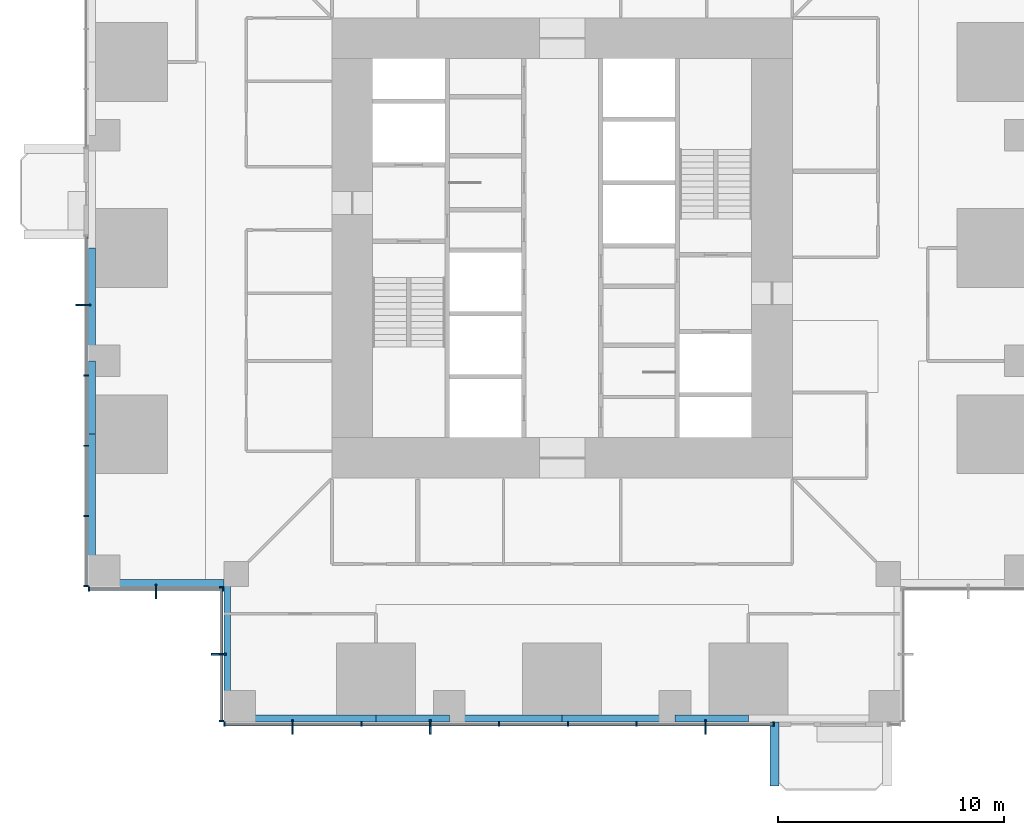
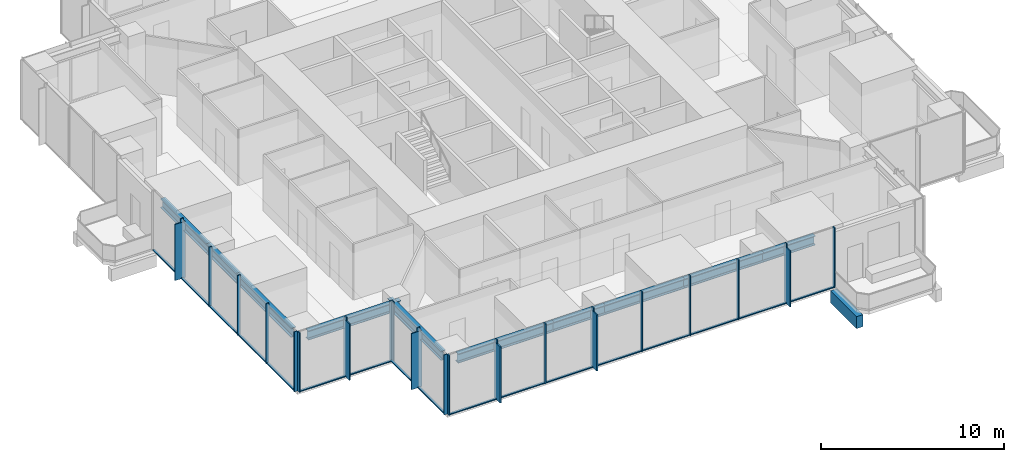
# One storey, part 2 of 15: 43 members, 11 beams, 4 elements without a shape of their own.
"""IFC4 building model written with IfcOpenShell, lengths in metres."""

from ifc_helpers import new_model, si_unit, direction, frame, origin, origin_2d, place, context, subcontext, project, spatial, rectangle, i_section, extrude, material, material_profile, profile_set, type_object, element, aggregate, save


model = new_model("IFC4")

# Units and contexts
model_context = context("Model", 3, precision=1e-05, world=origin(), true_north=direction((0.0, 1.0)))
body_context = subcontext(model_context, "Body", "Model", "MODEL_VIEW")
ifc_project = project(units=[si_unit("LENGTHUNIT", "METRE"), si_unit("AREAUNIT", "SQUARE_METRE"), si_unit("VOLUMEUNIT", "CUBIC_METRE"), si_unit("PLANEANGLEUNIT", "RADIAN"), si_unit("MASSUNIT", "GRAM", prefix="KILO")], contexts=[model_context])

# Site, building, storey
site_placement = place(None, origin())
site = spatial("IfcSite", under=ifc_project, at=site_placement, CompositionType="ELEMENT")
building_placement = place(site_placement, origin())
building = spatial("IfcBuilding", under=site, at=building_placement, Name="Svetlomir Tower", CompositionType="ELEMENT")
storey_placement = place(building_placement, frame((0.0, 0.0, 74.5)))
storey = spatial("IfcBuildingStorey", under=building, at=storey_placement, Name="L17", CompositionType="ELEMENT", Elevation=74.5)

# Beam
ifc_material_1 = material(Name="Concrete C60/75", Category="concrete")
ifc_material_profile_1 = material_profile(ifc_material_1, rectangle(XDim=0.39990234375, YDim=0.800048828125, at=origin_2d()), Name="RC 400x800")
ifc_profile_set_1 = profile_set([ifc_material_profile_1], Name="Concrete C60/75")
beam_type_1 = type_object("IfcBeamType", Name="BALCONY RIB RC 400x800", PredefinedType="BEAM", material=ifc_profile_set_1)
beam_1_placement = place(storey_placement, frame((30.39990234375, 0.0, -0.64990234375), z_axis=(0.0, -1.0, 0.0), x_axis=(1.0, 0.0, 0.0)))
element("IfcBeam", 1, at=beam_1_placement, inside=storey, type_object=beam_type_1, Name="Balcony rib S 1 L17", PredefinedType="BEAM", context=body_context, shape_type="SweptSolid", body=[
    extrude(rectangle(XDim=0.39990234375, YDim=0.800048828125, at=origin_2d()), origin(), (0.0, 0.0, 1.0), 2.85009765625),
])

# Curtain wall, members
ifc_material_2 = material(Name="Bronze anodised aluminium curtain wall", Category="aluminium")
curtain_wall_type = type_object("IfcCurtainWallType", Name="CURTAIN WALL CW1 TOWER OFFICE", PredefinedType="NOTDEFINED", material=ifc_material_2)
curtain_wall_1_placement = place(storey_placement, origin())
curtain_wall_1 = element("IfcCurtainWall", 2, at=curtain_wall_1_placement, inside=storey, type_object=curtain_wall_type, Name="Curtain wall CW1 L17", PredefinedType="NOTDEFINED")
ifc_material_3 = material(Name="Bronze anodised aluminium", Category="aluminium")
ifc_material_profile_2 = material_profile(ifc_material_3, rectangle(XDim=0.080078125, YDim=0.64990234375, at=origin_2d()), Name="FIN 80x650")
ifc_profile_set_2 = profile_set([ifc_material_profile_2], Name="Bronze anodised aluminium 6063-T6")
member_type_1 = type_object("IfcMemberType", Name="BRONZE FIN 80x650", PredefinedType="USERDEFINED", material=ifc_profile_set_2)
member_1_placement = place(storey_placement, frame((9.050048828125, -0.22509765625, 0.0), z_axis=(0.0, 0.0, 1.0), x_axis=(1.0, 0.0, 0.0)))
member_1 = element("IfcMember", 3, at=member_1_placement, type_object=member_type_1, Name="Bronze fin L17", ObjectType="FIN", PredefinedType="USERDEFINED", context=body_context, shape_type="SweptSolid", body=[
    extrude(rectangle(XDim=0.080078125, YDim=0.64990234375, at=origin_2d()), origin(), (0.0, 0.0, 1.0), 3.75),
])
member_2_placement = place(storey_placement, frame((15.14990234375, -0.22509765625, 0.0), z_axis=(0.0, 0.0, 1.0), x_axis=(1.0, 0.0, 0.0)))
member_2 = element("IfcMember", 4, at=member_2_placement, type_object=member_type_1, Name="Bronze fin L17", ObjectType="FIN", PredefinedType="USERDEFINED", context=body_context, shape_type="SweptSolid", body=[
    extrude(rectangle(XDim=0.080078125, YDim=0.64990234375, at=origin_2d()), origin(), (0.0, 0.0, 1.0), 3.75),
])
member_3_placement = place(storey_placement, frame((27.35009765625, -0.22509765625, 0.0), z_axis=(0.0, 0.0, 1.0), x_axis=(1.0, 0.0, 0.0)))
member_3 = element("IfcMember", 5, at=member_3_placement, type_object=member_type_1, Name="Bronze fin L17", ObjectType="FIN", PredefinedType="USERDEFINED", context=body_context, shape_type="SweptSolid", body=[
    extrude(rectangle(XDim=0.080078125, YDim=0.64990234375, at=origin_2d()), origin(), (0.0, 0.0, 1.0), 3.75),
])

# Curtain wall, member
curtain_wall_2_placement = place(storey_placement, origin())
curtain_wall_2 = element("IfcCurtainWall", 6, at=curtain_wall_2_placement, inside=storey, type_object=curtain_wall_type, Name="Curtain wall CW1 L17", PredefinedType="NOTDEFINED")
member_4_placement = place(storey_placement, frame((-0.22509765625, 18.47998046875, 0.0), z_axis=(0.0, 0.0, 1.0), x_axis=(0.0, 1.0, 0.0)))
member_4 = element("IfcMember", 7, at=member_4_placement, type_object=member_type_1, Name="Bronze fin L17", ObjectType="FIN", PredefinedType="USERDEFINED", context=body_context, shape_type="SweptSolid", body=[
    extrude(rectangle(XDim=0.080078125, YDim=0.64990234375, at=origin_2d()), origin(), (0.0, 0.0, 1.0), 3.75),
])

curtain_wall_3_placement = place(storey_placement, origin())
curtain_wall_3 = element("IfcCurtainWall", 8, at=curtain_wall_3_placement, inside=storey, type_object=curtain_wall_type, Name="Curtain wall CW1 L17", PredefinedType="NOTDEFINED")
member_5_placement = place(storey_placement, frame((3.0, 5.77490234375, 0.0), z_axis=(0.0, 0.0, 1.0), x_axis=(1.0, 0.0, 0.0)))
member_5 = element("IfcMember", 9, at=member_5_placement, type_object=member_type_1, Name="Bronze fin L17", ObjectType="FIN", PredefinedType="USERDEFINED", context=body_context, shape_type="SweptSolid", body=[
    extrude(rectangle(XDim=0.080078125, YDim=0.64990234375, at=origin_2d()), origin(), (0.0, 0.0, 1.0), 3.75),
])

curtain_wall_4_placement = place(storey_placement, origin())
curtain_wall_4 = element("IfcCurtainWall", 10, at=curtain_wall_4_placement, inside=storey, type_object=curtain_wall_type, Name="Curtain wall CW1 L17", PredefinedType="NOTDEFINED")
member_6_placement = place(storey_placement, frame((5.77490234375, 3.0, 0.0), z_axis=(0.0, 0.0, 1.0), x_axis=(0.0, 1.0, 0.0)))
member_6 = element("IfcMember", 11, at=member_6_placement, type_object=member_type_1, Name="Bronze fin L17", ObjectType="FIN", PredefinedType="USERDEFINED", context=body_context, shape_type="SweptSolid", body=[
    extrude(rectangle(XDim=0.080078125, YDim=0.64990234375, at=origin_2d()), origin(), (0.0, 0.0, 1.0), 3.75),
])

# Member
ifc_material_4 = material(Name="Bronze anodised aluminium", Category="aluminium")
ifc_material_profile_3 = material_profile(ifc_material_4, rectangle(XDim=0.06494140625, YDim=0.199951171875, at=origin_2d()), Name="AL 65x200")
ifc_profile_set_3 = profile_set([ifc_material_profile_3], Name="Bronze anodised aluminium 6063-T6")
member_type_2 = type_object("IfcMemberType", Name="CW1 MULLION 65x200", PredefinedType="MULLION", material=ifc_profile_set_3)
member_7_placement = place(storey_placement, frame((6.032470703125, -0.10009765625, 0.0), z_axis=(0.0, 0.0, 1.0), x_axis=(1.0, 0.0, 0.0)))
member_7 = element("IfcMember", 12, at=member_7_placement, type_object=member_type_2, Name="CW1 mullion 1", PredefinedType="MULLION", context=body_context, shape_type="SweptSolid", body=[
    extrude(rectangle(XDim=0.06494140625, YDim=0.199951171875, at=origin_2d()), origin(), (0.0, 0.0, 1.0), 4.0),
])

member_8_placement = place(storey_placement, frame((9.050048828125, -0.10009765625, 0.0), z_axis=(0.0, 0.0, 1.0), x_axis=(1.0, 0.0, 0.0)))
member_8 = element("IfcMember", 13, at=member_8_placement, type_object=member_type_2, Name="CW1 mullion 2", PredefinedType="MULLION", context=body_context, shape_type="SweptSolid", body=[
    extrude(rectangle(XDim=0.06494140625, YDim=0.199951171875, at=origin_2d()), origin(), (0.0, 0.0, 1.0), 4.0),
])

member_9_placement = place(storey_placement, frame((12.10009765625, -0.10009765625, 0.0), z_axis=(0.0, 0.0, 1.0), x_axis=(1.0, 0.0, 0.0)))
member_9 = element("IfcMember", 14, at=member_9_placement, type_object=member_type_2, Name="CW1 mullion 3", PredefinedType="MULLION", context=body_context, shape_type="SweptSolid", body=[
    extrude(rectangle(XDim=0.06494140625, YDim=0.199951171875, at=origin_2d()), origin(), (0.0, 0.0, 1.0), 4.0),
])

member_10_placement = place(storey_placement, frame((15.14990234375, -0.10009765625, 0.0), z_axis=(0.0, 0.0, 1.0), x_axis=(1.0, 0.0, 0.0)))
member_10 = element("IfcMember", 15, at=member_10_placement, type_object=member_type_2, Name="CW1 mullion 4", PredefinedType="MULLION", context=body_context, shape_type="SweptSolid", body=[
    extrude(rectangle(XDim=0.06494140625, YDim=0.199951171875, at=origin_2d()), origin(), (0.0, 0.0, 1.0), 4.0),
])

member_11_placement = place(storey_placement, frame((18.199951171875, -0.10009765625, 0.0), z_axis=(0.0, 0.0, 1.0), x_axis=(1.0, 0.0, 0.0)))
member_11 = element("IfcMember", 16, at=member_11_placement, type_object=member_type_2, Name="CW1 mullion 5", PredefinedType="MULLION", context=body_context, shape_type="SweptSolid", body=[
    extrude(rectangle(XDim=0.06494140625, YDim=0.199951171875, at=origin_2d()), origin(), (0.0, 0.0, 1.0), 4.0),
])

member_12_placement = place(storey_placement, frame((21.25, -0.10009765625, 0.0), z_axis=(0.0, 0.0, 1.0), x_axis=(1.0, 0.0, 0.0)))
member_12 = element("IfcMember", 17, at=member_12_placement, type_object=member_type_2, Name="CW1 mullion 6", PredefinedType="MULLION", context=body_context, shape_type="SweptSolid", body=[
    extrude(rectangle(XDim=0.06494140625, YDim=0.199951171875, at=origin_2d()), origin(), (0.0, 0.0, 1.0), 4.0),
])

member_13_placement = place(storey_placement, frame((24.300048828125, -0.10009765625, 0.0), z_axis=(0.0, 0.0, 1.0), x_axis=(1.0, 0.0, 0.0)))
member_13 = element("IfcMember", 18, at=member_13_placement, type_object=member_type_2, Name="CW1 mullion 7", PredefinedType="MULLION", context=body_context, shape_type="SweptSolid", body=[
    extrude(rectangle(XDim=0.06494140625, YDim=0.199951171875, at=origin_2d()), origin(), (0.0, 0.0, 1.0), 4.0),
])

member_14_placement = place(storey_placement, frame((27.35009765625, -0.10009765625, 0.0), z_axis=(0.0, 0.0, 1.0), x_axis=(1.0, 0.0, 0.0)))
member_14 = element("IfcMember", 19, at=member_14_placement, type_object=member_type_2, Name="CW1 mullion 8", PredefinedType="MULLION", context=body_context, shape_type="SweptSolid", body=[
    extrude(rectangle(XDim=0.06494140625, YDim=0.199951171875, at=origin_2d()), origin(), (0.0, 0.0, 1.0), 4.0),
])

member_15_placement = place(storey_placement, frame((30.367431640625, -0.10009765625, 0.0), z_axis=(0.0, 0.0, 1.0), x_axis=(1.0, 0.0, 0.0)))
member_15 = element("IfcMember", 20, at=member_15_placement, type_object=member_type_2, Name="CW1 mullion 9", PredefinedType="MULLION", context=body_context, shape_type="SweptSolid", body=[
    extrude(rectangle(XDim=0.06494140625, YDim=0.199951171875, at=origin_2d()), origin(), (0.0, 0.0, 1.0), 4.0),
])

member_16_placement = place(storey_placement, frame((-0.10009765625, 18.47998046875, 0.0), z_axis=(0.0, 0.0, 1.0), x_axis=(0.0, -1.0, 0.0)))
member_16 = element("IfcMember", 21, at=member_16_placement, type_object=member_type_2, Name="CW1 mullion 2", PredefinedType="MULLION", context=body_context, shape_type="SweptSolid", body=[
    extrude(rectangle(XDim=0.06494140625, YDim=0.199951171875, at=origin_2d()), origin(), (0.0, 0.0, 1.0), 4.0),
])

member_17_placement = place(storey_placement, frame((-0.10009765625, 15.360107421875, 0.0), z_axis=(0.0, 0.0, 1.0), x_axis=(0.0, -1.0, 0.0)))
member_17 = element("IfcMember", 22, at=member_17_placement, type_object=member_type_2, Name="CW1 mullion 3", PredefinedType="MULLION", context=body_context, shape_type="SweptSolid", body=[
    extrude(rectangle(XDim=0.06494140625, YDim=0.199951171875, at=origin_2d()), origin(), (0.0, 0.0, 1.0), 4.0),
])

member_18_placement = place(storey_placement, frame((-0.10009765625, 12.239990234375, 0.0), z_axis=(0.0, 0.0, 1.0), x_axis=(0.0, -1.0, 0.0)))
member_18 = element("IfcMember", 23, at=member_18_placement, type_object=member_type_2, Name="CW1 mullion 4", PredefinedType="MULLION", context=body_context, shape_type="SweptSolid", body=[
    extrude(rectangle(XDim=0.06494140625, YDim=0.199951171875, at=origin_2d()), origin(), (0.0, 0.0, 1.0), 4.0),
])

member_19_placement = place(storey_placement, frame((-0.10009765625, 9.1201171875, 0.0), z_axis=(0.0, 0.0, 1.0), x_axis=(0.0, -1.0, 0.0)))
member_19 = element("IfcMember", 24, at=member_19_placement, type_object=member_type_2, Name="CW1 mullion 5", PredefinedType="MULLION", context=body_context, shape_type="SweptSolid", body=[
    extrude(rectangle(XDim=0.06494140625, YDim=0.199951171875, at=origin_2d()), origin(), (0.0, 0.0, 1.0), 4.0),
])

member_20_placement = place(storey_placement, frame((-0.10009765625, 6.032470703125, 0.0), z_axis=(0.0, 0.0, 1.0), x_axis=(0.0, -1.0, 0.0)))
member_20 = element("IfcMember", 25, at=member_20_placement, type_object=member_type_2, Name="CW1 mullion 6", PredefinedType="MULLION", context=body_context, shape_type="SweptSolid", body=[
    extrude(rectangle(XDim=0.06494140625, YDim=0.199951171875, at=origin_2d()), origin(), (0.0, 0.0, 1.0), 4.0),
])

member_21_placement = place(storey_placement, frame((0.032470703125, 5.89990234375, 0.0), z_axis=(0.0, 0.0, 1.0), x_axis=(1.0, 0.0, 0.0)))
member_21 = element("IfcMember", 26, at=member_21_placement, type_object=member_type_2, Name="CW1 mullion 1", PredefinedType="MULLION", context=body_context, shape_type="SweptSolid", body=[
    extrude(rectangle(XDim=0.06494140625, YDim=0.199951171875, at=origin_2d()), origin(), (0.0, 0.0, 1.0), 4.0),
])

member_22_placement = place(storey_placement, frame((3.0, 5.89990234375, 0.0), z_axis=(0.0, 0.0, 1.0), x_axis=(1.0, 0.0, 0.0)))
member_22 = element("IfcMember", 27, at=member_22_placement, type_object=member_type_2, Name="CW1 mullion 2", PredefinedType="MULLION", context=body_context, shape_type="SweptSolid", body=[
    extrude(rectangle(XDim=0.06494140625, YDim=0.199951171875, at=origin_2d()), origin(), (0.0, 0.0, 1.0), 4.0),
])

member_23_placement = place(storey_placement, frame((5.967529296875, 5.89990234375, 0.0), z_axis=(0.0, 0.0, 1.0), x_axis=(1.0, 0.0, 0.0)))
member_23 = element("IfcMember", 28, at=member_23_placement, type_object=member_type_2, Name="CW1 mullion 3", PredefinedType="MULLION", context=body_context, shape_type="SweptSolid", body=[
    extrude(rectangle(XDim=0.06494140625, YDim=0.199951171875, at=origin_2d()), origin(), (0.0, 0.0, 1.0), 4.0),
])

member_24_placement = place(storey_placement, frame((5.89990234375, 5.967529296875, 0.0), z_axis=(0.0, 0.0, 1.0), x_axis=(0.0, -1.0, 0.0)))
member_24 = element("IfcMember", 29, at=member_24_placement, type_object=member_type_2, Name="CW1 mullion 1", PredefinedType="MULLION", context=body_context, shape_type="SweptSolid", body=[
    extrude(rectangle(XDim=0.06494140625, YDim=0.199951171875, at=origin_2d()), origin(), (0.0, 0.0, 1.0), 4.0),
])

member_25_placement = place(storey_placement, frame((5.89990234375, 3.0, 0.0), z_axis=(0.0, 0.0, 1.0), x_axis=(0.0, -1.0, 0.0)))
member_25 = element("IfcMember", 30, at=member_25_placement, type_object=member_type_2, Name="CW1 mullion 2", PredefinedType="MULLION", context=body_context, shape_type="SweptSolid", body=[
    extrude(rectangle(XDim=0.06494140625, YDim=0.199951171875, at=origin_2d()), origin(), (0.0, 0.0, 1.0), 4.0),
])

member_26_placement = place(storey_placement, frame((5.89990234375, 0.032470703125, 0.0), z_axis=(0.0, 0.0, 1.0), x_axis=(0.0, -1.0, 0.0)))
member_26 = element("IfcMember", 31, at=member_26_placement, type_object=member_type_2, Name="CW1 mullion 3", PredefinedType="MULLION", context=body_context, shape_type="SweptSolid", body=[
    extrude(rectangle(XDim=0.06494140625, YDim=0.199951171875, at=origin_2d()), origin(), (0.0, 0.0, 1.0), 4.0),
])

ifc_material_5 = material(Name="Bronze anodised aluminium", Category="aluminium")
ifc_material_profile_4 = material_profile(ifc_material_5, rectangle(XDim=0.139892578125, YDim=0.06494140625, at=origin_2d()), Name="AL 140x65")
ifc_profile_set_4 = profile_set([ifc_material_profile_4], Name="Bronze anodised aluminium 6063-T6")
member_type_3 = type_object("IfcMemberType", Name="CW1 TRANSOM 65x140", PredefinedType="USERDEFINED", material=ifc_profile_set_4)
member_27_placement = place(storey_placement, frame((6.06494140625, -0.10009765625, 0.032470703125), z_axis=(1.0, 0.0, 0.0), x_axis=(0.0, 1.0, 0.0)))
member_27 = element("IfcMember", 32, at=member_27_placement, type_object=member_type_3, Name="CW1 transom 1.1", ObjectType="TRANSOM", PredefinedType="USERDEFINED", context=body_context, shape_type="SweptSolid", body=[
    extrude(rectangle(XDim=0.139892578125, YDim=0.06494140625, at=origin_2d()), origin(), (0.0, 0.0, 1.0), 2.95263671875),
])

member_28_placement = place(storey_placement, frame((9.08251953125, -0.10009765625, 0.032470703125), z_axis=(1.0, 0.0, 0.0), x_axis=(0.0, 1.0, 0.0)))
member_28 = element("IfcMember", 33, at=member_28_placement, type_object=member_type_3, Name="CW1 transom 2.1", ObjectType="TRANSOM", PredefinedType="USERDEFINED", context=body_context, shape_type="SweptSolid", body=[
    extrude(rectangle(XDim=0.139892578125, YDim=0.06494140625, at=origin_2d()), origin(), (0.0, 0.0, 1.0), 2.98486328125),
])

member_29_placement = place(storey_placement, frame((12.132568359375, -0.10009765625, 0.032470703125), z_axis=(1.0, 0.0, 0.0), x_axis=(0.0, 1.0, 0.0)))
member_29 = element("IfcMember", 34, at=member_29_placement, type_object=member_type_3, Name="CW1 transom 3.1", ObjectType="TRANSOM", PredefinedType="USERDEFINED", context=body_context, shape_type="SweptSolid", body=[
    extrude(rectangle(XDim=0.139892578125, YDim=0.06494140625, at=origin_2d()), origin(), (0.0, 0.0, 1.0), 2.98486328125),
])

member_30_placement = place(storey_placement, frame((15.1826171875, -0.10009765625, 0.032470703125), z_axis=(1.0, 0.0, 0.0), x_axis=(0.0, 1.0, 0.0)))
member_30 = element("IfcMember", 35, at=member_30_placement, type_object=member_type_3, Name="CW1 transom 4.1", ObjectType="TRANSOM", PredefinedType="USERDEFINED", context=body_context, shape_type="SweptSolid", body=[
    extrude(rectangle(XDim=0.139892578125, YDim=0.06494140625, at=origin_2d()), origin(), (0.0, 0.0, 1.0), 2.98486328125),
])

member_31_placement = place(storey_placement, frame((18.232421875, -0.10009765625, 0.032470703125), z_axis=(1.0, 0.0, 0.0), x_axis=(0.0, 1.0, 0.0)))
member_31 = element("IfcMember", 36, at=member_31_placement, type_object=member_type_3, Name="CW1 transom 5.1", ObjectType="TRANSOM", PredefinedType="USERDEFINED", context=body_context, shape_type="SweptSolid", body=[
    extrude(rectangle(XDim=0.139892578125, YDim=0.06494140625, at=origin_2d()), origin(), (0.0, 0.0, 1.0), 2.985107421875),
])

member_32_placement = place(storey_placement, frame((21.282470703125, -0.10009765625, 0.032470703125), z_axis=(1.0, 0.0, 0.0), x_axis=(0.0, 1.0, 0.0)))
member_32 = element("IfcMember", 37, at=member_32_placement, type_object=member_type_3, Name="CW1 transom 6.1", ObjectType="TRANSOM", PredefinedType="USERDEFINED", context=body_context, shape_type="SweptSolid", body=[
    extrude(rectangle(XDim=0.139892578125, YDim=0.06494140625, at=origin_2d()), origin(), (0.0, 0.0, 1.0), 2.985107421875),
])

member_33_placement = place(storey_placement, frame((24.33251953125, -0.10009765625, 0.032470703125), z_axis=(1.0, 0.0, 0.0), x_axis=(0.0, 1.0, 0.0)))
member_33 = element("IfcMember", 38, at=member_33_placement, type_object=member_type_3, Name="CW1 transom 7.1", ObjectType="TRANSOM", PredefinedType="USERDEFINED", context=body_context, shape_type="SweptSolid", body=[
    extrude(rectangle(XDim=0.139892578125, YDim=0.06494140625, at=origin_2d()), origin(), (0.0, 0.0, 1.0), 2.98486328125),
])

member_34_placement = place(storey_placement, frame((27.382568359375, -0.10009765625, 0.032470703125), z_axis=(1.0, 0.0, 0.0), x_axis=(0.0, 1.0, 0.0)))
member_34 = element("IfcMember", 39, at=member_34_placement, type_object=member_type_3, Name="CW1 transom 8.1", ObjectType="TRANSOM", PredefinedType="USERDEFINED", context=body_context, shape_type="SweptSolid", body=[
    extrude(rectangle(XDim=0.139892578125, YDim=0.06494140625, at=origin_2d()), origin(), (0.0, 0.0, 1.0), 2.952392578125),
])

aggregate(curtain_wall_1, [member_7, member_8, member_9, member_10, member_11, member_12, member_13, member_14, member_15, member_27, member_28, member_29, member_30, member_31, member_32, member_33, member_34, member_1, member_2, member_3])

member_35_placement = place(storey_placement, frame((-0.10009765625, 21.534912109375, 0.032470703125), z_axis=(0.0, -1.0, 0.0), x_axis=(1.0, 0.0, 0.0)))
member_35 = element("IfcMember", 40, at=member_35_placement, type_object=member_type_3, Name="CW1 transom 1.1", ObjectType="TRANSOM", PredefinedType="USERDEFINED", context=body_context, shape_type="SweptSolid", body=[
    extrude(rectangle(XDim=0.139892578125, YDim=0.06494140625, at=origin_2d()), origin(), (0.0, 0.0, 1.0), 3.0224609375),
])

member_36_placement = place(storey_placement, frame((-0.10009765625, 18.447509765625, 0.032470703125), z_axis=(0.0, -1.0, 0.0), x_axis=(1.0, 0.0, 0.0)))
member_36 = element("IfcMember", 41, at=member_36_placement, type_object=member_type_3, Name="CW1 transom 2.1", ObjectType="TRANSOM", PredefinedType="USERDEFINED", context=body_context, shape_type="SweptSolid", body=[
    extrude(rectangle(XDim=0.139892578125, YDim=0.06494140625, at=origin_2d()), origin(), (0.0, 0.0, 1.0), 3.054931640625),
])

member_37_placement = place(storey_placement, frame((-0.10009765625, 15.327392578125, 0.032470703125), z_axis=(0.0, -1.0, 0.0), x_axis=(1.0, 0.0, 0.0)))
member_37 = element("IfcMember", 42, at=member_37_placement, type_object=member_type_3, Name="CW1 transom 3.1", ObjectType="TRANSOM", PredefinedType="USERDEFINED", context=body_context, shape_type="SweptSolid", body=[
    extrude(rectangle(XDim=0.139892578125, YDim=0.06494140625, at=origin_2d()), origin(), (0.0, 0.0, 1.0), 3.054931640625),
])

member_38_placement = place(storey_placement, frame((-0.10009765625, 12.20751953125, 0.032470703125), z_axis=(0.0, -1.0, 0.0), x_axis=(1.0, 0.0, 0.0)))
member_38 = element("IfcMember", 43, at=member_38_placement, type_object=member_type_3, Name="CW1 transom 4.1", ObjectType="TRANSOM", PredefinedType="USERDEFINED", context=body_context, shape_type="SweptSolid", body=[
    extrude(rectangle(XDim=0.139892578125, YDim=0.06494140625, at=origin_2d()), origin(), (0.0, 0.0, 1.0), 3.054931640625),
])

member_39_placement = place(storey_placement, frame((-0.10009765625, 9.08740234375, 0.032470703125), z_axis=(0.0, -1.0, 0.0), x_axis=(1.0, 0.0, 0.0)))
member_39 = element("IfcMember", 44, at=member_39_placement, type_object=member_type_3, Name="CW1 transom 5.1", ObjectType="TRANSOM", PredefinedType="USERDEFINED", context=body_context, shape_type="SweptSolid", body=[
    extrude(rectangle(XDim=0.139892578125, YDim=0.06494140625, at=origin_2d()), origin(), (0.0, 0.0, 1.0), 3.0224609375),
])

aggregate(curtain_wall_2, [member_16, member_17, member_18, member_19, member_20, member_35, member_36, member_37, member_38, member_39, member_4])

member_40_placement = place(storey_placement, frame((0.06494140625, 5.89990234375, 0.032470703125), z_axis=(1.0, 0.0, 0.0), x_axis=(0.0, 1.0, 0.0)))
member_40 = element("IfcMember", 45, at=member_40_placement, type_object=member_type_3, Name="CW1 transom 1.1", ObjectType="TRANSOM", PredefinedType="USERDEFINED", context=body_context, shape_type="SweptSolid", body=[
    extrude(rectangle(XDim=0.139892578125, YDim=0.06494140625, at=origin_2d()), origin(), (0.0, 0.0, 1.0), 2.902587890625),
])

member_41_placement = place(storey_placement, frame((3.032470703125, 5.89990234375, 0.032470703125), z_axis=(1.0, 0.0, 0.0), x_axis=(0.0, 1.0, 0.0)))
member_41 = element("IfcMember", 46, at=member_41_placement, type_object=member_type_3, Name="CW1 transom 2.1", ObjectType="TRANSOM", PredefinedType="USERDEFINED", context=body_context, shape_type="SweptSolid", body=[
    extrude(rectangle(XDim=0.139892578125, YDim=0.06494140625, at=origin_2d()), origin(), (0.0, 0.0, 1.0), 2.902587890625),
])

aggregate(curtain_wall_3, [member_21, member_22, member_23, member_40, member_41, member_5])

member_42_placement = place(storey_placement, frame((5.89990234375, 5.93505859375, 0.032470703125), z_axis=(0.0, -1.0, 0.0), x_axis=(1.0, 0.0, 0.0)))
member_42 = element("IfcMember", 47, at=member_42_placement, type_object=member_type_3, Name="CW1 transom 1.1", ObjectType="TRANSOM", PredefinedType="USERDEFINED", context=body_context, shape_type="SweptSolid", body=[
    extrude(rectangle(XDim=0.139892578125, YDim=0.06494140625, at=origin_2d()), origin(), (0.0, 0.0, 1.0), 2.902587890625),
])

member_43_placement = place(storey_placement, frame((5.89990234375, 2.967529296875, 0.032470703125), z_axis=(0.0, -1.0, 0.0), x_axis=(1.0, 0.0, 0.0)))
member_43 = element("IfcMember", 48, at=member_43_placement, type_object=member_type_3, Name="CW1 transom 2.1", ObjectType="TRANSOM", PredefinedType="USERDEFINED", context=body_context, shape_type="SweptSolid", body=[
    extrude(rectangle(XDim=0.139892578125, YDim=0.06494140625, at=origin_2d()), origin(), (0.0, 0.0, 1.0), 2.902587890625),
])

aggregate(curtain_wall_4, [member_24, member_25, member_26, member_42, member_43, member_6])

# Beams
ifc_material_6 = material(Name="Steel S355", Category="steel")
ifc_material_profile_5 = material_profile(ifc_material_6, i_section(OverallWidth=0.304931640625, OverallDepth=0.6201171875, WebThickness=0.02099609375, FlangeThickness=0.0400390625, FilletRadius=0.027099609375, at=origin_2d()), Name="HEM 600")
ifc_profile_set_5 = profile_set([ifc_material_profile_5], Name="Steel S355")
beam_type_2 = type_object("IfcBeamType", Name="EDGE BEAM HEM 600", PredefinedType="SPANDREL", material=ifc_profile_set_5)
for number, where, z_axis, x_axis, name in (
    (49, (6.699951171875, 0.152587890625, 3.43994140625), (1.0, 0.0, 0.0), (0.0, 1.0, 0.0), "Edge beam 6/0 to 11/0 under L18"),
    (50, (0.152587890625, 6.699951171875, 3.43994140625), (0.0, 1.0, 0.0), (-1.0, 0.0, 0.0), "Edge beam 0/6 to 0/11 under L18"),
):
    element("IfcBeam", number, at=place(storey_placement, frame(where, z_axis=z_axis, x_axis=x_axis)), inside=storey, type_object=beam_type_2, Name=name, PredefinedType="SPANDREL", context=body_context, shape_type="SweptSolid", body=[
        extrude(i_section(OverallWidth=0.304931640625, OverallDepth=0.6201171875, WebThickness=0.02099609375, FlangeThickness=0.0400390625, FilletRadius=0.027099609375, at=origin_2d()), origin(), (0.0, 0.0, 1.0), 6.050048828125),
    ])
for number, where, z_axis, x_axis, name in (
    (51, (12.75, 0.152587890625, 3.43994140625), (1.0, 0.0, 0.0), (0.0, 1.0, 0.0), "Edge beam 11/0 to 16/0 under L18"),
    (52, (0.152587890625, 12.75, 3.43994140625), (0.0, 1.0, 0.0), (-1.0, 0.0, 0.0), "Edge beam 0/11 to 0/16 under L18"),
):
    element("IfcBeam", number, at=place(storey_placement, frame(where, z_axis=z_axis, x_axis=x_axis)), inside=storey, type_object=beam_type_2, Name=name, PredefinedType="SPANDREL", context=body_context, shape_type="SweptSolid", body=[
        extrude(i_section(OverallWidth=0.304931640625, OverallDepth=0.6201171875, WebThickness=0.02099609375, FlangeThickness=0.0400390625, FilletRadius=0.027099609375, at=origin_2d()), origin(), (0.0, 0.0, 1.0), 3.25),
    ])
for number, where, z_axis, x_axis, name in (
    (53, (16.0, 0.152587890625, 3.43994140625), (1.0, 0.0, 0.0), (0.0, 1.0, 0.0), "Edge beam 16/0 to 21/0 under L18"),
    (54, (0.152587890625, 16.0, 3.43994140625), (0.0, 1.0, 0.0), (-1.0, 0.0, 0.0), "Edge beam 0/16 to 0/21 under L18"),
    (55, (21.0, 0.152587890625, 3.43994140625), (1.0, 0.0, 0.0), (0.0, 1.0, 0.0), "Edge beam 21/0 to 26/0 under L18"),
):
    element("IfcBeam", number, at=place(storey_placement, frame(where, z_axis=z_axis, x_axis=x_axis)), inside=storey, type_object=beam_type_2, Name=name, PredefinedType="SPANDREL", context=body_context, shape_type="SweptSolid", body=[
        extrude(i_section(OverallWidth=0.304931640625, OverallDepth=0.6201171875, WebThickness=0.02099609375, FlangeThickness=0.0400390625, FilletRadius=0.027099609375, at=origin_2d()), origin(), (0.0, 0.0, 1.0), 5.0),
    ])
beam_2_placement = place(storey_placement, frame((26.0, 0.152587890625, 3.43994140625), z_axis=(1.0, 0.0, 0.0), x_axis=(0.0, 1.0, 0.0)))
element("IfcBeam", 56, at=beam_2_placement, inside=storey, type_object=beam_type_2, Name="Edge beam 26/0 to 31/0 under L18", PredefinedType="SPANDREL", context=body_context, shape_type="SweptSolid", body=[
    extrude(i_section(OverallWidth=0.304931640625, OverallDepth=0.6201171875, WebThickness=0.02099609375, FlangeThickness=0.0400390625, FilletRadius=0.027099609375, at=origin_2d()), origin(), (0.0, 0.0, 1.0), 3.25),
])
for number, where, z_axis, x_axis, name in (
    (57, (6.152587890625, 0.699951171875, 3.43994140625), (0.0, 1.0, 0.0), (-1.0, 0.0, 0.0), "Edge beam 6/0 to 6/6 under L18"),
    (58, (0.699951171875, 6.152587890625, 3.43994140625), (1.0, 0.0, 0.0), (0.0, 1.0, 0.0), "Edge beam 0/6 to 6/6 under L18"),
):
    element("IfcBeam", number, at=place(storey_placement, frame(where, z_axis=z_axis, x_axis=x_axis)), inside=storey, type_object=beam_type_2, Name=name, PredefinedType="SPANDREL", context=body_context, shape_type="SweptSolid", body=[
        extrude(i_section(OverallWidth=0.304931640625, OverallDepth=0.6201171875, WebThickness=0.02099609375, FlangeThickness=0.0400390625, FilletRadius=0.027099609375, at=origin_2d()), origin(), (0.0, 0.0, 1.0), 5.85009765625),
    ])

save(model, "model.ifc")
